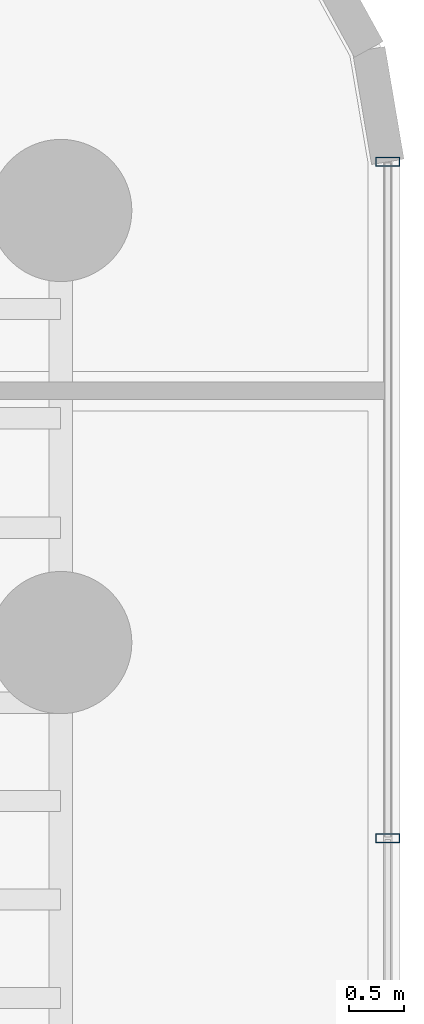
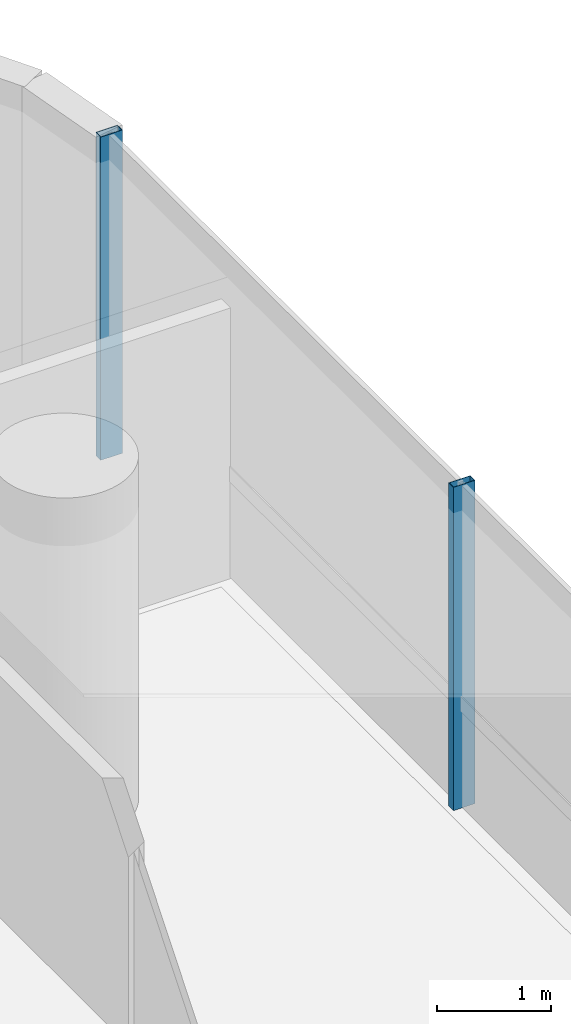
# One storey, part 27 of 40: 2 members, 1 element without a shape of its own.
"""IFC4 building model written with IfcOpenShell, lengths in metres."""

from ifc_helpers import new_model, si_unit, direction, frame, origin, origin_2d, place, context, subcontext, project, spatial, hollow_rectangle, extrude, source, transform, mapped, material, material_profile, profile_set, type_object, element, aggregate, save


model = new_model("IFC4")

# Units and contexts
model_context = context("Model", 3, precision=1e-05, world=origin(), true_north=direction((0.0, 1.0)))
body_context = subcontext(model_context, "Body", "Model", "MODEL_VIEW")
ifc_project = project(units=[si_unit("LENGTHUNIT", "METRE"), si_unit("AREAUNIT", "SQUARE_METRE"), si_unit("VOLUMEUNIT", "CUBIC_METRE"), si_unit("PLANEANGLEUNIT", "RADIAN"), si_unit("MASSUNIT", "GRAM", prefix="KILO")], contexts=[model_context])

# Site, building, storey
site_placement = place(None, origin())
site = spatial("IfcSite", under=ifc_project, at=site_placement, CompositionType="ELEMENT")
building_placement = place(site_placement, origin())
building = spatial("IfcBuilding", under=site, at=building_placement, Name="Valdorenza Pilgrim Sanctuary Tower", CompositionType="ELEMENT")
storey_placement = place(building_placement, frame((0.0, 0.0, 92.60009765625)))
storey = spatial("IfcBuildingStorey", under=building, at=storey_placement, Name="L23", CompositionType="ELEMENT", Elevation=92.60009765625)

# Curtain wall, members
ifc_material_1 = material(Name="Curtain-wall IGU glazing", Category="glass")
curtain_wall_type = type_object("IfcCurtainWallType", Name="CW-SYS-03", PredefinedType="NOTDEFINED", material=ifc_material_1)
curtain_wall_placement = place(storey_placement, origin())
curtain_wall = element("IfcCurtainWall", 1, at=curtain_wall_placement, inside=storey, type_object=curtain_wall_type, Name="L23 Curtain Wall CW-L23-1-21", PredefinedType="NOTDEFINED")
ifc_material_2 = material(Name="Anodised aluminium AW-6060", Category="aluminium")
ifc_material_profile = material_profile(ifc_material_2, hollow_rectangle(XDim=0.0849609375, YDim=0.219970703125, WallThickness=0.0048828125, at=origin_2d()), Name="ALU-M 220x85x5")
ifc_profile_set = profile_set([ifc_material_profile], Name="Anodised aluminium AW-6060")
member_type = type_object("IfcMemberType", Name="CW-MUL-03", PredefinedType="MULLION", material=ifc_profile_set)
shared_shape = source(origin(), body_context, "Body", "SweptSolid", [
    extrude(hollow_rectangle(XDim=0.0849609375, YDim=0.219970703125, WallThickness=0.0048828125, at=origin_2d()), origin(), (0.0, 0.0, 1.0), 3.4599609375),
])
member_1_placement = place(storey_placement, frame((31.389892578125, 13.945068359375, 0.0), z_axis=(0.0, 0.0, 1.0), x_axis=(0.0, -1.0, 0.0)))
member_1 = element("IfcMember", 2, at=member_1_placement, type_object=member_type, Name="CW-L23-1-21 Mullion 1", PredefinedType="MULLION", context=body_context, shape_type="MappedRepresentation", body=[
    mapped(shared_shape, transform((0.0, 0.0, 0.0), x_axis=(1.0, 0.0, 0.0), y_axis=(0.0, 1.0, 0.0), z_axis=(0.0, 0.0, 1.0), scale=1.0)),
])
member_2_placement = place(storey_placement, frame((31.389892578125, 7.761474609375, 0.0), z_axis=(0.0, 0.0, 1.0), x_axis=(0.0, -1.0, 0.0)))
member_2 = element("IfcMember", 3, at=member_2_placement, type_object=member_type, Name="CW-L23-1-21 Mullion 2", PredefinedType="MULLION", context=body_context, shape_type="MappedRepresentation", body=[
    mapped(shared_shape, transform((0.0, 0.0, 0.0), x_axis=(1.0, 0.0, 0.0), y_axis=(0.0, 1.0, 0.0), z_axis=(0.0, 0.0, 1.0), scale=1.0)),
])
aggregate(curtain_wall, [member_1, member_2])

save(model, "model.ifc")
